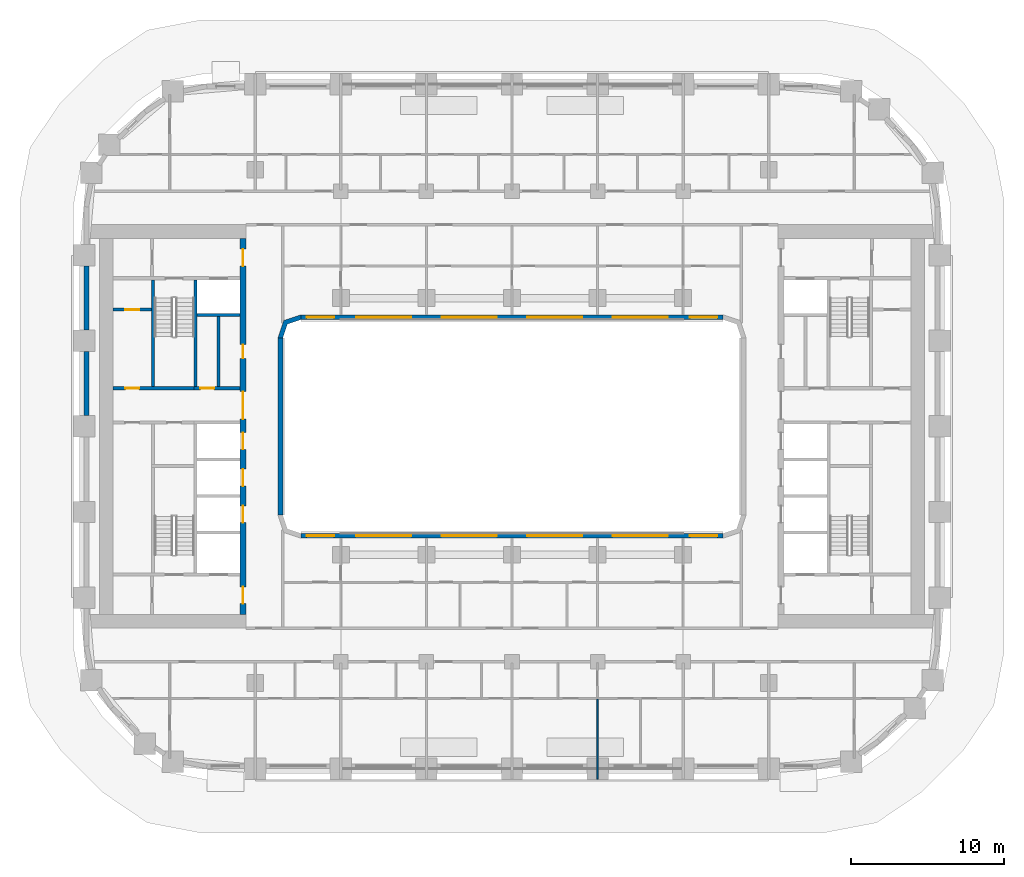
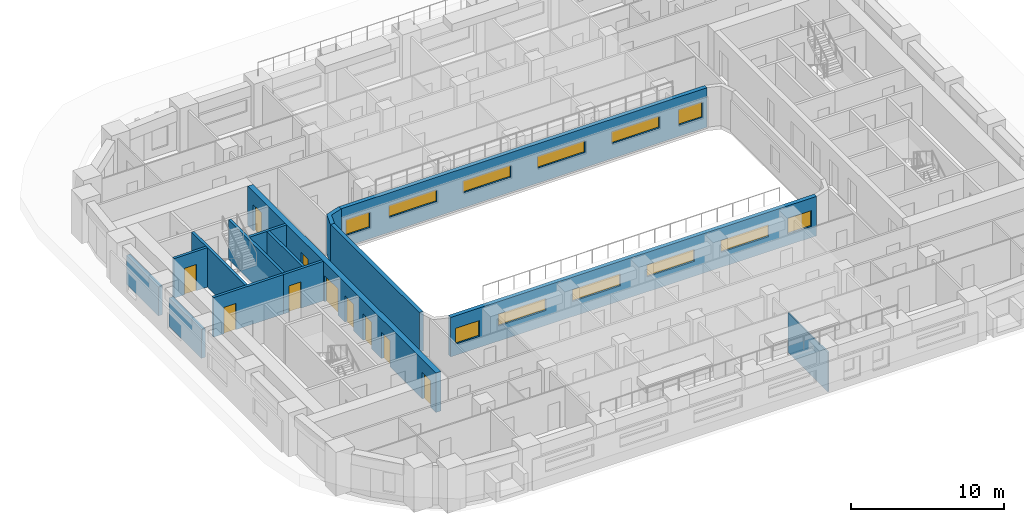
# One storey, part 5 of 18: 15 walls, 12 windows, 10 doors, 22 openings.
"""IFC4 building model written with IfcOpenShell, lengths in metres."""

from ifc_helpers import new_model, si_unit, direction, frame, frame_2d, origin, place, context, subcontext, project, spatial, polyline, rectangle, outline, extrude, material, layer, layer_set, type_object, element, fill, save


model = new_model("IFC4")

# Units and contexts
model_context = context("Model", 3, precision=1e-05, world=origin(), true_north=direction((0.0, 1.0)))
body_context = subcontext(model_context, "Body", "Model", "MODEL_VIEW")
ifc_project = project(units=[si_unit("LENGTHUNIT", "METRE"), si_unit("AREAUNIT", "SQUARE_METRE"), si_unit("VOLUMEUNIT", "CUBIC_METRE"), si_unit("PLANEANGLEUNIT", "RADIAN"), si_unit("MASSUNIT", "GRAM", prefix="KILO")], contexts=[model_context])

# Site, building, storey
site_placement = place(None, origin())
site = spatial("IfcSite", under=ifc_project, at=site_placement, CompositionType="ELEMENT")
building_placement = place(site_placement, origin())
building = spatial("IfcBuilding", under=site, at=building_placement, Name="Kiln Ring Residences", CompositionType="ELEMENT")
storey_placement = place(building_placement, frame((0.0, 0.0, 69.0)))
storey = spatial("IfcBuildingStorey", under=building, at=storey_placement, Name="L17", CompositionType="ELEMENT", Elevation=69.0)

# Wall
ifc_material_1 = material(Name="Gypsum board on steel studs", Category="steel")
ifc_layer_1 = layer(ifc_material_1, 0.199951171875)
ifc_layer_set_1 = layer_set([ifc_layer_1], Name="CORE-PARTITION-200")
wall_type_1 = type_object("IfcWallType", Name="CORE-PARTITION-200", PredefinedType="PARTITIONING", material=ifc_layer_set_1)
wall_1_placement = place(storey_placement, frame((-19.199951171875, 2.60009765625, 0.0), z_axis=(0.0, 0.0, 1.0), x_axis=(0.0, 1.0, 0.0)))
element("IfcWall", 1, at=wall_1_placement, inside=storey, type_object=wall_type_1, Name="Core partition west L17 3", PredefinedType="PARTITIONING", context=body_context, shape_type="SweptSolid", body=[
    extrude(rectangle(XDim=4.599853515625, YDim=0.199951171875, at=frame_2d((2.2998046875, 0.0))), origin(), (0.0, 0.0, 1.0), 3.14990234375),
])

# Wall, opening, door
wall_2_placement = place(storey_placement, frame((-23.60009765625, 7.639892578125, 0.0), z_axis=(0.0, 0.0, 1.0), x_axis=(-1.0, 0.0, 0.0)))
wall_2 = element("IfcWall", 2, at=wall_2_placement, inside=storey, type_object=wall_type_1, Name="Core partition west L17 6", PredefinedType="PARTITIONING", context=body_context, shape_type="SweptSolid", body=[
    extrude(rectangle(XDim=2.5, YDim=0.199951171875, at=frame_2d((1.25, 0.0))), origin(), (0.0, 0.0, 1.0), 3.14990234375),
])
opening_1_placement = place(wall_2_placement, frame((0.800048828125, 0.0, 0.0)))
opening_1 = element("IfcOpeningElement", 3, at=opening_1_placement, cuts=wall_2, Name="Opening L17-CW17", PredefinedType="OPENING", context=body_context, shape_type="SweptSolid", body=[
    extrude(rectangle(XDim=0.89990234375, YDim=2.10009765625, at=frame_2d((0.449951171875, 1.050048828125))), frame((0.0, 0.10986328125, 0.0), z_axis=(0.0, -1.0, 0.0), x_axis=(1.0, 0.0, 0.0)), (0.0, 0.0, 1.0), 0.219970703125),
])
ifc_material_2 = material(Name="Steel door leaf", Category="steel")
door_type_1 = type_object("IfcDoorType", Name="CORE-DOOR-ROOM", OperationType="SINGLE_SWING_LEFT", PredefinedType="DOOR", material=ifc_material_2)
door_1_placement = place(opening_1_placement, origin())
door_1 = element("IfcDoor", 4, at=door_1_placement, inside=storey, type_object=door_type_1, Name="UPS room L17-CW17", OperationType="SINGLE_SWING_RIGHT", OverallHeight=2.10009765625, OverallWidth=0.89990234375, PredefinedType="DOOR", context=body_context, shape_type="SweptSolid", body=[
    extrude(rectangle(XDim=0.89990234375, YDim=2.10009765625, at=frame_2d((0.449951171875, 1.050048828125))), frame((0.0, 0.02490234375, 0.0), z_axis=(0.0, -1.0, 0.0), x_axis=(1.0, 0.0, 0.0)), (0.0, 0.0, 1.0), 0.050048828125),
])
fill(opening_1, door_1)

ifc_material_3 = material(Name="Gypsum shaft wall system")
ifc_layer_2 = layer(ifc_material_3, 0.199951171875)
ifc_layer_set_2 = layer_set([ifc_layer_2], Name="CORE-SHAFT-WALL-200")
wall_type_2 = type_object("IfcWallType", Name="CORE-SHAFT-WALL-200", PredefinedType="PARTITIONING", material=ifc_layer_set_2)
wall_3_placement = place(storey_placement, frame((-17.800048828125, 2.5, 0.0), z_axis=(0.0, 0.0, 1.0), x_axis=(-1.0, 0.0, 0.0)))
wall_3 = element("IfcWall", 5, at=wall_3_placement, inside=storey, type_object=wall_type_2, Name="Core partition west L17 11", PredefinedType="PARTITIONING", context=body_context, shape_type="SweptSolid", body=[
    extrude(rectangle(XDim=3.0, YDim=0.199951171875, at=frame_2d((1.5, 0.0))), origin(), (0.0, 0.0, 1.0), 3.14990234375),
])
opening_2_placement = place(wall_3_placement, frame((1.699951171875, 0.0, 0.0)))
opening_2 = element("IfcOpeningElement", 6, at=opening_2_placement, cuts=wall_3, Name="Opening L17-CW06", PredefinedType="OPENING", context=body_context, shape_type="SweptSolid", body=[
    extrude(rectangle(XDim=0.89990234375, YDim=2.10009765625, at=frame_2d((0.449951171875, 1.050048828125))), frame((0.0, 0.10986328125, 0.0), z_axis=(0.0, -1.0, 0.0), x_axis=(1.0, 0.0, 0.0)), (0.0, 0.0, 1.0), 0.219970703125),
])
door_2_placement = place(opening_2_placement, origin())
door_2 = element("IfcDoor", 7, at=door_2_placement, inside=storey, type_object=door_type_1, Name="Service store L17-CW06", OperationType="SINGLE_SWING_LEFT", OverallHeight=2.10009765625, OverallWidth=0.89990234375, PredefinedType="DOOR", context=body_context, shape_type="SweptSolid", body=[
    extrude(rectangle(XDim=0.89990234375, YDim=2.10009765625, at=frame_2d((0.449951171875, 1.050048828125))), frame((0.0, 0.02490234375, 0.0), z_axis=(0.0, -1.0, 0.0), x_axis=(1.0, 0.0, 0.0)), (0.0, 0.0, 1.0), 0.050048828125),
])
fill(opening_2, door_2)

# Walls
wall_4_placement = place(storey_placement, frame((-17.800048828125, 7.300048828125, 0.0), z_axis=(0.0, 0.0, 1.0), x_axis=(-1.0, 0.0, 0.0)))
element("IfcWall", 8, at=wall_4_placement, inside=storey, type_object=wall_type_2, Name="Core partition west L17 12", PredefinedType="PARTITIONING", context=body_context, shape_type="SweptSolid", body=[
    extrude(rectangle(XDim=2.800048828125, YDim=0.199951171875, at=frame_2d((1.39990234375, 0.0))), origin(), (0.0, 0.0, 1.0), 3.14990234375),
])
ifc_material_4 = material(Name="Concrete C40/50", Category="concrete")
ifc_layer_3 = layer(ifc_material_4, 0.199951171875)
ifc_layer_set_3 = layer_set([ifc_layer_3], Name="CORE-WALL-RC200")
wall_type_3 = type_object("IfcWallType", Name="CORE-WALL-RC200", PredefinedType="SHEAR", material=ifc_layer_set_3)
wall_5_placement = place(storey_placement, frame((-20.699951171875, 2.60009765625, 0.0), z_axis=(0.0, 0.0, 1.0), x_axis=(0.0, 1.0, 0.0)))
element("IfcWall", 9, at=wall_5_placement, inside=storey, type_object=wall_type_3, Name="Core wall west L17 1", PredefinedType="SHEAR", context=body_context, shape_type="SweptSolid", body=[
    extrude(rectangle(XDim=7.0, YDim=0.199951171875, at=frame_2d((3.5, 0.0))), origin(), (0.0, 0.0, 1.0), 3.14990234375),
])

# Wall, opening, door
wall_6_placement = place(storey_placement, frame((-20.800048828125, 2.5, 0.0), z_axis=(0.0, 0.0, 1.0), x_axis=(-1.0, 0.0, 0.0)))
wall_6 = element("IfcWall", 10, at=wall_6_placement, inside=storey, type_object=wall_type_3, Name="Core wall west L17 3", PredefinedType="SHEAR", context=body_context, shape_type="SweptSolid", body=[
    extrude(rectangle(XDim=5.300048828125, YDim=0.199951171875, at=frame_2d((2.64990234375, 0.0))), origin(), (0.0, 0.0, 1.0), 3.14990234375),
])
opening_3_placement = place(wall_6_placement, frame((3.60009765625, 0.0, 0.0)))
opening_3 = element("IfcOpeningElement", 11, at=opening_3_placement, cuts=wall_6, Name="Opening L17-CW18", PredefinedType="OPENING", context=body_context, shape_type="SweptSolid", body=[
    extrude(rectangle(XDim=0.89990234375, YDim=2.10009765625, at=frame_2d((0.449951171875, 1.050048828125))), frame((0.0, 0.10986328125, 0.0), z_axis=(0.0, -1.0, 0.0), x_axis=(1.0, 0.0, 0.0)), (0.0, 0.0, 1.0), 0.219970703125),
])
door_3_placement = place(opening_3_placement, origin())
door_3 = element("IfcDoor", 12, at=door_3_placement, inside=storey, type_object=door_type_1, Name="Electrical plant room L17-CW18", OperationType="SINGLE_SWING_LEFT", OverallHeight=2.10009765625, OverallWidth=0.89990234375, PredefinedType="DOOR", context=body_context, shape_type="SweptSolid", body=[
    extrude(rectangle(XDim=0.89990234375, YDim=2.10009765625, at=frame_2d((0.449951171875, 1.050048828125))), frame((0.0, 0.02490234375, 0.0), z_axis=(0.0, -1.0, 0.0), x_axis=(1.0, 0.0, 0.0)), (0.0, 0.0, 1.0), 0.050048828125),
])
fill(opening_3, door_3)

# Wall
wall_7_placement = place(storey_placement, frame((-23.5, 2.60009765625, 0.0), z_axis=(0.0, 0.0, 1.0), x_axis=(0.0, 1.0, 0.0)))
element("IfcWall", 13, at=wall_7_placement, inside=storey, type_object=wall_type_3, Name="Core wall west L17 10", PredefinedType="SHEAR", context=body_context, shape_type="SweptSolid", body=[
    extrude(rectangle(XDim=7.0, YDim=0.199951171875, at=frame_2d((3.5, 0.0))), origin(), (0.0, 0.0, 1.0), 3.14990234375),
])

# Wall, openings, doors
ifc_material_5 = material(Name="Concrete C60/75", Category="concrete")
ifc_layer_4 = layer(ifc_material_5, 0.39990234375)
ifc_layer_set_4 = layer_set([ifc_layer_4], Name="CORE-WALL-RC400")
wall_type_4 = type_object("IfcWallType", Name="CORE-WALL-RC400", PredefinedType="SHEAR", material=ifc_layer_set_4)
wall_8_placement = place(storey_placement, frame((-17.60009765625, -12.300048828125, 0.0), z_axis=(0.0, 0.0, 1.0), x_axis=(0.0, 1.0, 0.0)))
wall_8 = element("IfcWall", 14, at=wall_8_placement, inside=storey, type_object=wall_type_4, Name="Core wall west L17 6", PredefinedType="SHEAR", context=body_context, shape_type="SweptSolid", body=[
    extrude(rectangle(XDim=24.60009765625, YDim=0.39990234375, at=frame_2d((12.300048828125, 0.0))), origin(), (0.0, 0.0, 1.0), 3.14990234375),
])
opening_4_placement = place(wall_8_placement, frame((6.0, 0.0, 0.0)))
opening_4 = element("IfcOpeningElement", 15, at=opening_4_placement, cuts=wall_8, Name="Opening L17-CW02", PredefinedType="OPENING", context=body_context, shape_type="SweptSolid", body=[
    extrude(rectangle(XDim=1.10009765625, YDim=2.10009765625, at=frame_2d((0.550048828125, 1.050048828125))), frame((0.0, 0.2099609375, 0.0), z_axis=(0.0, -1.0, 0.0), x_axis=(1.0, 0.0, 0.0)), (0.0, 0.0, 1.0), 0.419921875),
])
opening_5_placement = place(wall_8_placement, frame((8.39990234375, 0.0, 0.0)))
opening_5 = element("IfcOpeningElement", 16, at=opening_5_placement, cuts=wall_8, Name="Opening L17-CW03", PredefinedType="OPENING", context=body_context, shape_type="SweptSolid", body=[
    extrude(rectangle(XDim=1.10009765625, YDim=2.10009765625, at=frame_2d((0.550048828125, 1.050048828125))), frame((0.0, 0.2099609375, 0.0), z_axis=(0.0, -1.0, 0.0), x_axis=(1.0, 0.0, 0.0)), (0.0, 0.0, 1.0), 0.419921875),
])
opening_6_placement = place(wall_8_placement, frame((10.800048828125, 0.0, 0.0)))
opening_6 = element("IfcOpeningElement", 17, at=opening_6_placement, cuts=wall_8, Name="Opening L17-CW04", PredefinedType="OPENING", context=body_context, shape_type="SweptSolid", body=[
    extrude(rectangle(XDim=1.10009765625, YDim=2.10009765625, at=frame_2d((0.550048828125, 1.050048828125))), frame((0.0, 0.2099609375, 0.0), z_axis=(0.0, -1.0, 0.0), x_axis=(1.0, 0.0, 0.0)), (0.0, 0.0, 1.0), 0.419921875),
])
opening_7_placement = place(wall_8_placement, frame((16.75, 0.0, 0.0)))
opening_7 = element("IfcOpeningElement", 18, at=opening_7_placement, cuts=wall_8, Name="Opening L17-CW05", PredefinedType="OPENING", context=body_context, shape_type="SweptSolid", body=[
    extrude(rectangle(XDim=0.89990234375, YDim=2.10009765625, at=frame_2d((0.449951171875, 1.050048828125))), frame((0.0, 0.2099609375, 0.0), z_axis=(0.0, -1.0, 0.0), x_axis=(1.0, 0.0, 0.0)), (0.0, 0.0, 1.0), 0.419921875),
])
opening_8_placement = place(wall_8_placement, frame((22.800048828125, 0.0, 0.0)))
opening_8 = element("IfcOpeningElement", 19, at=opening_8_placement, cuts=wall_8, Name="Opening L17-CW08", PredefinedType="OPENING", context=body_context, shape_type="SweptSolid", body=[
    extrude(rectangle(XDim=1.10009765625, YDim=2.10009765625, at=frame_2d((0.550048828125, 1.050048828125))), frame((0.0, 0.2099609375, 0.0), z_axis=(0.0, -1.0, 0.0), x_axis=(1.0, 0.0, 0.0)), (0.0, 0.0, 1.0), 0.419921875),
])
opening_9_placement = place(wall_8_placement, frame((0.699951171875, 0.0, 0.0)))
opening_9 = element("IfcOpeningElement", 20, at=opening_9_placement, cuts=wall_8, Name="Opening L17-CW09", PredefinedType="OPENING", context=body_context, shape_type="SweptSolid", body=[
    extrude(rectangle(XDim=1.10009765625, YDim=2.10009765625, at=frame_2d((0.550048828125, 1.050048828125))), frame((0.0, 0.2099609375, 0.0), z_axis=(0.0, -1.0, 0.0), x_axis=(1.0, 0.0, 0.0)), (0.0, 0.0, 1.0), 0.419921875),
])
opening_10_placement = place(wall_8_placement, frame((12.77490234375, 0.0, 0.0)))
opening_10 = element("IfcOpeningElement", 21, at=opening_10_placement, cuts=wall_8, Name="Opening L17-CW14", PredefinedType="OPENING", context=body_context, shape_type="SweptSolid", body=[
    extrude(rectangle(XDim=1.800048828125, YDim=2.10009765625, at=frame_2d((0.89990234375, 1.050048828125))), frame((0.0, 0.2099609375, 0.0), z_axis=(0.0, -1.0, 0.0), x_axis=(1.0, 0.0, 0.0)), (0.0, 0.0, 1.0), 0.419921875),
])
ifc_material_6 = material(Name="Steel door leaf", Category="steel")
door_type_2 = type_object("IfcDoorType", Name="CORE-DOOR-LD", OperationType="DOUBLE_DOOR_SLIDING", PredefinedType="DOOR", material=ifc_material_6)
door_4_placement = place(opening_4_placement, origin())
door_4 = element("IfcDoor", 22, at=door_4_placement, inside=storey, type_object=door_type_2, Name="LD W-L1 L17-CW02", OperationType="DOUBLE_DOOR_SLIDING", OverallHeight=2.10009765625, OverallWidth=1.10009765625, PredefinedType="DOOR", context=body_context, shape_type="SweptSolid", body=[
    extrude(rectangle(XDim=1.10009765625, YDim=2.10009765625, at=frame_2d((0.550048828125, 1.050048828125))), frame((0.0, 0.02490234375, 0.0), z_axis=(0.0, -1.0, 0.0), x_axis=(1.0, 0.0, 0.0)), (0.0, 0.0, 1.0), 0.050048828125),
])
fill(opening_4, door_4)
door_5_placement = place(opening_5_placement, origin())
door_5 = element("IfcDoor", 23, at=door_5_placement, inside=storey, type_object=door_type_2, Name="LD W-L2 L17-CW03", OperationType="DOUBLE_DOOR_SLIDING", OverallHeight=2.10009765625, OverallWidth=1.10009765625, PredefinedType="DOOR", context=body_context, shape_type="SweptSolid", body=[
    extrude(rectangle(XDim=1.10009765625, YDim=2.10009765625, at=frame_2d((0.550048828125, 1.050048828125))), frame((0.0, 0.02490234375, 0.0), z_axis=(0.0, -1.0, 0.0), x_axis=(1.0, 0.0, 0.0)), (0.0, 0.0, 1.0), 0.050048828125),
])
fill(opening_5, door_5)
door_6_placement = place(opening_6_placement, origin())
door_6 = element("IfcDoor", 24, at=door_6_placement, inside=storey, type_object=door_type_2, Name="LD W-L3 L17-CW04", OperationType="DOUBLE_DOOR_SLIDING", OverallHeight=2.10009765625, OverallWidth=1.10009765625, PredefinedType="DOOR", context=body_context, shape_type="SweptSolid", body=[
    extrude(rectangle(XDim=1.10009765625, YDim=2.10009765625, at=frame_2d((0.550048828125, 1.050048828125))), frame((0.0, 0.02490234375, 0.0), z_axis=(0.0, -1.0, 0.0), x_axis=(1.0, 0.0, 0.0)), (0.0, 0.0, 1.0), 0.050048828125),
])
fill(opening_6, door_6)
ifc_material_7 = material(Name="Steel door leaf", Category="steel")
door_type_3 = type_object("IfcDoorType", Name="CORE-DOOR-LOBBY", OperationType="SINGLE_SWING_LEFT", PredefinedType="DOOR", material=ifc_material_7)
door_7_placement = place(opening_8_placement, origin())
door_7 = element("IfcDoor", 25, at=door_7_placement, inside=storey, type_object=door_type_3, Name="FFL L17-CW08", OperationType="SINGLE_SWING_LEFT", OverallHeight=2.10009765625, OverallWidth=1.10009765625, PredefinedType="DOOR", context=body_context, shape_type="SweptSolid", body=[
    extrude(rectangle(XDim=1.10009765625, YDim=2.10009765625, at=frame_2d((0.550048828125, 1.050048828125))), frame((0.0, 0.02490234375, 0.0), z_axis=(0.0, -1.0, 0.0), x_axis=(1.0, 0.0, 0.0)), (0.0, 0.0, 1.0), 0.050048828125),
])
fill(opening_8, door_7)
door_8_placement = place(opening_9_placement, origin())
door_8 = element("IfcDoor", 26, at=door_8_placement, inside=storey, type_object=door_type_3, Name="SVL L17-CW09", OperationType="SINGLE_SWING_RIGHT", OverallHeight=2.10009765625, OverallWidth=1.10009765625, PredefinedType="DOOR", context=body_context, shape_type="SweptSolid", body=[
    extrude(rectangle(XDim=1.10009765625, YDim=2.10009765625, at=frame_2d((0.550048828125, 1.050048828125))), frame((0.0, 0.02490234375, 0.0), z_axis=(0.0, -1.0, 0.0), x_axis=(1.0, 0.0, 0.0)), (0.0, 0.0, 1.0), 0.050048828125),
])
fill(opening_9, door_8)
ifc_material_8 = material(Name="Steel door leaf", Category="steel")
door_type_4 = type_object("IfcDoorType", Name="CORE-DOOR-PASS", OperationType="DOUBLE_DOOR_SINGLE_SWING", PredefinedType="DOOR", material=ifc_material_8)
door_9_placement = place(opening_10_placement, origin())
door_9 = element("IfcDoor", 27, at=door_9_placement, inside=storey, type_object=door_type_4, Name="Core passage L17-CW14", OperationType="DOUBLE_DOOR_SINGLE_SWING", OverallHeight=2.10009765625, OverallWidth=1.800048828125, PredefinedType="DOOR", context=body_context, shape_type="SweptSolid", body=[
    extrude(rectangle(XDim=1.800048828125, YDim=2.10009765625, at=frame_2d((0.89990234375, 1.050048828125))), frame((0.0, 0.02490234375, 0.0), z_axis=(0.0, -1.0, 0.0), x_axis=(1.0, 0.0, 0.0)), (0.0, 0.0, 1.0), 0.050048828125),
])
fill(opening_10, door_9)
door_10_placement = place(opening_7_placement, origin())
door_10 = element("IfcDoor", 28, at=door_10_placement, inside=storey, type_object=door_type_1, Name="Linen store L17-CW05", OperationType="SINGLE_SWING_LEFT", OverallHeight=2.10009765625, OverallWidth=0.89990234375, PredefinedType="DOOR", context=body_context, shape_type="SweptSolid", body=[
    extrude(rectangle(XDim=0.89990234375, YDim=2.10009765625, at=frame_2d((0.449951171875, 1.050048828125))), frame((0.0, 0.02490234375, 0.0), z_axis=(0.0, -1.0, 0.0), x_axis=(1.0, 0.0, 0.0)), (0.0, 0.0, 1.0), 0.050048828125),
])
fill(opening_7, door_10)

# Walls
ifc_material_9 = material(Name="Brick masonry, dark clay brick", Category="masonry")
ifc_layer_5 = layer(ifc_material_9, 0.300048828125)
ifc_layer_set_5 = layer_set([ifc_layer_5], Name="EW-300 BRICK WALL")
wall_type_5 = type_object("IfcWallType", Name="EW-300 BRICK WALL", PredefinedType="SOLIDWALL", material=ifc_layer_set_5)
for number, where, z_axis, x_axis, name in (
    (29, (-27.85009765625, 10.5, 0.0), (0.0, 0.0, 1.0), (0.0, -1.0, 0.0), "Facade wall L17 42"),
    (30, (-27.85009765625, 4.89990234375, 0.0), (0.0, 0.0, 1.0), (0.0, -1.0, 0.0), "Facade wall L17 43"),
):
    element("IfcWall", number, at=place(storey_placement, frame(where, z_axis=z_axis, x_axis=x_axis)), inside=storey, type_object=wall_type_5, Name=name, PredefinedType="SOLIDWALL", context=body_context, shape_type="SweptSolid", body=[
        extrude(rectangle(XDim=4.199951171875, YDim=0.300048828125, at=frame_2d((2.10009765625, 0.0))), origin(), (0.0, 0.0, 1.0), 2.300048828125),
    ])
wall_9_placement = place(storey_placement, frame((-15.14990234375, -5.800048828125, 0.0), z_axis=(0.0, 0.0, 1.0), x_axis=(0.0, 1.0, 0.0)))
element("IfcWall", 31, at=wall_9_placement, inside=storey, type_object=wall_type_5, Name="Facade wall L17 49", PredefinedType="SOLIDWALL", context=body_context, shape_type="SweptSolid", body=[
    extrude(rectangle(XDim=11.60009765625, YDim=0.300048828125, at=frame_2d((5.800048828125, 0.0))), origin(), (0.0, 0.0, 1.0), 3.14990234375),
])

# Wall, openings, windows
wall_10_placement = place(storey_placement, frame((-13.800048828125, 7.14990234375, 0.0), z_axis=(0.0, 0.0, 1.0), x_axis=(1.0, 0.0, 0.0)))
wall_10 = element("IfcWall", 32, at=wall_10_placement, inside=storey, type_object=wall_type_5, Name="Facade wall L17 50", PredefinedType="SOLIDWALL", context=body_context, shape_type="SweptSolid", body=[
    extrude(rectangle(XDim=27.60009765625, YDim=0.300048828125, at=frame_2d((13.800048828125, 0.0))), origin(), (0.0, 0.0, 1.0), 3.14990234375),
])
opening_11_placement = place(wall_10_placement, frame((0.362548828125, 0.0, 0.89990234375)))
opening_11 = element("IfcOpeningElement", 33, at=opening_11_placement, cuts=wall_10, Name="Opening W2", PredefinedType="OPENING", context=body_context, shape_type="SweptSolid", body=[
    extrude(rectangle(XDim=1.800048828125, YDim=1.25, at=frame_2d((0.89990234375, 0.625))), frame((0.0, 0.159912109375, 0.0), z_axis=(0.0, -1.0, 0.0), x_axis=(1.0, 0.0, 0.0)), (0.0, 0.0, 1.0), 0.320068359375),
])
opening_12_placement = place(wall_10_placement, frame((3.60009765625, 0.0, 1.199951171875)))
opening_12 = element("IfcOpeningElement", 34, at=opening_12_placement, cuts=wall_10, Name="Opening W4", PredefinedType="OPENING", context=body_context, shape_type="SweptSolid", body=[
    extrude(rectangle(XDim=3.60009765625, YDim=0.949951171875, at=frame_2d((1.800048828125, 0.47509765625))), frame((0.0, 0.159912109375, 0.0), z_axis=(0.0, -1.0, 0.0), x_axis=(1.0, 0.0, 0.0)), (0.0, 0.0, 1.0), 0.320068359375),
])
opening_13_placement = place(wall_10_placement, frame((9.199951171875, 0.0, 1.199951171875)))
opening_13 = element("IfcOpeningElement", 35, at=opening_13_placement, cuts=wall_10, Name="Opening W4", PredefinedType="OPENING", context=body_context, shape_type="SweptSolid", body=[
    extrude(rectangle(XDim=3.60009765625, YDim=0.949951171875, at=frame_2d((1.800048828125, 0.47509765625))), frame((0.0, 0.159912109375, 0.0), z_axis=(0.0, -1.0, 0.0), x_axis=(1.0, 0.0, 0.0)), (0.0, 0.0, 1.0), 0.320068359375),
])
opening_14_placement = place(wall_10_placement, frame((14.800048828125, 0.0, 1.199951171875)))
opening_14 = element("IfcOpeningElement", 36, at=opening_14_placement, cuts=wall_10, Name="Opening W4", PredefinedType="OPENING", context=body_context, shape_type="SweptSolid", body=[
    extrude(rectangle(XDim=3.60009765625, YDim=0.949951171875, at=frame_2d((1.800048828125, 0.47509765625))), frame((0.0, 0.159912109375, 0.0), z_axis=(0.0, -1.0, 0.0), x_axis=(1.0, 0.0, 0.0)), (0.0, 0.0, 1.0), 0.320068359375),
])
opening_15_placement = place(wall_10_placement, frame((20.39990234375, 0.0, 1.199951171875)))
opening_15 = element("IfcOpeningElement", 37, at=opening_15_placement, cuts=wall_10, Name="Opening W4", PredefinedType="OPENING", context=body_context, shape_type="SweptSolid", body=[
    extrude(rectangle(XDim=3.60009765625, YDim=0.949951171875, at=frame_2d((1.800048828125, 0.47509765625))), frame((0.0, 0.159912109375, 0.0), z_axis=(0.0, -1.0, 0.0), x_axis=(1.0, 0.0, 0.0)), (0.0, 0.0, 1.0), 0.320068359375),
])
opening_16_placement = place(wall_10_placement, frame((25.4375, 0.0, 0.89990234375)))
opening_16 = element("IfcOpeningElement", 38, at=opening_16_placement, cuts=wall_10, Name="Opening W2", PredefinedType="OPENING", context=body_context, shape_type="SweptSolid", body=[
    extrude(rectangle(XDim=1.800048828125, YDim=1.25, at=frame_2d((0.89990234375, 0.625))), frame((0.0, 0.159912109375, 0.0), z_axis=(0.0, -1.0, 0.0), x_axis=(1.0, 0.0, 0.0)), (0.0, 0.0, 1.0), 0.320068359375),
])
ifc_material_10 = material(Name="Aluminium frame with double glazing", Category="aluminium")
window_type_1 = type_object("IfcWindowType", Name="WINDOW 1800 x 1250", PartitioningType="SINGLE_PANEL", PredefinedType="WINDOW", material=ifc_material_10)
window_1_placement = place(opening_11_placement, origin())
window_1 = element("IfcWindow", 39, at=window_1_placement, inside=storey, type_object=window_type_1, Name="Window L17 22", OverallHeight=1.25, OverallWidth=1.800048828125, PartitioningType="SINGLE_PANEL", PredefinedType="WINDOW", context=body_context, shape_type="SweptSolid", body=[
    extrude(rectangle(XDim=1.800048828125, YDim=1.25, at=frame_2d((0.89990234375, 0.625))), frame((0.0, 0.030029296875, 0.0), z_axis=(0.0, -1.0, 0.0), x_axis=(1.0, 0.0, 0.0)), (0.0, 0.0, 1.0), 0.06005859375),
])
fill(opening_11, window_1)
window_2_placement = place(opening_16_placement, origin())
window_2 = element("IfcWindow", 40, at=window_2_placement, inside=storey, type_object=window_type_1, Name="Window L17 27", OverallHeight=1.25, OverallWidth=1.800048828125, PartitioningType="SINGLE_PANEL", PredefinedType="WINDOW", context=body_context, shape_type="SweptSolid", body=[
    extrude(rectangle(XDim=1.800048828125, YDim=1.25, at=frame_2d((0.89990234375, 0.625))), frame((0.0, 0.030029296875, 0.0), z_axis=(0.0, -1.0, 0.0), x_axis=(1.0, 0.0, 0.0)), (0.0, 0.0, 1.0), 0.06005859375),
])
fill(opening_16, window_2)
ifc_material_11 = material(Name="Aluminium frame with double glazing", Category="aluminium")
window_type_2 = type_object("IfcWindowType", Name="WINDOW 3600 x 950", PartitioningType="SINGLE_PANEL", PredefinedType="WINDOW", material=ifc_material_11)
window_3_placement = place(opening_12_placement, origin())
window_3 = element("IfcWindow", 41, at=window_3_placement, inside=storey, type_object=window_type_2, Name="Window L17 23", OverallHeight=0.949951171875, OverallWidth=3.60009765625, PartitioningType="SINGLE_PANEL", PredefinedType="WINDOW", context=body_context, shape_type="SweptSolid", body=[
    extrude(rectangle(XDim=3.60009765625, YDim=0.949951171875, at=frame_2d((1.800048828125, 0.47509765625))), frame((0.0, 0.030029296875, 0.0), z_axis=(0.0, -1.0, 0.0), x_axis=(1.0, 0.0, 0.0)), (0.0, 0.0, 1.0), 0.06005859375),
])
fill(opening_12, window_3)
window_4_placement = place(opening_13_placement, origin())
window_4 = element("IfcWindow", 42, at=window_4_placement, inside=storey, type_object=window_type_2, Name="Window L17 24", OverallHeight=0.949951171875, OverallWidth=3.60009765625, PartitioningType="SINGLE_PANEL", PredefinedType="WINDOW", context=body_context, shape_type="SweptSolid", body=[
    extrude(rectangle(XDim=3.60009765625, YDim=0.949951171875, at=frame_2d((1.800048828125, 0.47509765625))), frame((0.0, 0.030029296875, 0.0), z_axis=(0.0, -1.0, 0.0), x_axis=(1.0, 0.0, 0.0)), (0.0, 0.0, 1.0), 0.06005859375),
])
fill(opening_13, window_4)
window_5_placement = place(opening_14_placement, origin())
window_5 = element("IfcWindow", 43, at=window_5_placement, inside=storey, type_object=window_type_2, Name="Window L17 25", OverallHeight=0.949951171875, OverallWidth=3.60009765625, PartitioningType="SINGLE_PANEL", PredefinedType="WINDOW", context=body_context, shape_type="SweptSolid", body=[
    extrude(rectangle(XDim=3.60009765625, YDim=0.949951171875, at=frame_2d((1.800048828125, 0.47509765625))), frame((0.0, 0.030029296875, 0.0), z_axis=(0.0, -1.0, 0.0), x_axis=(1.0, 0.0, 0.0)), (0.0, 0.0, 1.0), 0.06005859375),
])
fill(opening_14, window_5)
window_6_placement = place(opening_15_placement, origin())
window_6 = element("IfcWindow", 44, at=window_6_placement, inside=storey, type_object=window_type_2, Name="Window L17 26", OverallHeight=0.949951171875, OverallWidth=3.60009765625, PartitioningType="SINGLE_PANEL", PredefinedType="WINDOW", context=body_context, shape_type="SweptSolid", body=[
    extrude(rectangle(XDim=3.60009765625, YDim=0.949951171875, at=frame_2d((1.800048828125, 0.47509765625))), frame((0.0, 0.030029296875, 0.0), z_axis=(0.0, -1.0, 0.0), x_axis=(1.0, 0.0, 0.0)), (0.0, 0.0, 1.0), 0.06005859375),
])
fill(opening_15, window_6)

wall_11_placement = place(storey_placement, frame((13.800048828125, -7.14990234375, 0.0), z_axis=(0.0, 0.0, 1.0), x_axis=(-1.0, 0.0, 0.0)))
wall_11 = element("IfcWall", 45, at=wall_11_placement, inside=storey, type_object=wall_type_5, Name="Facade wall L17 52", PredefinedType="SOLIDWALL", context=body_context, shape_type="SweptSolid", body=[
    extrude(rectangle(XDim=27.60009765625, YDim=0.300048828125, at=frame_2d((13.800048828125, 0.0))), origin(), (0.0, 0.0, 1.0), 3.14990234375),
])
opening_17_placement = place(wall_11_placement, frame((0.362548828125, 0.0, 0.89990234375)))
opening_17 = element("IfcOpeningElement", 46, at=opening_17_placement, cuts=wall_11, Name="Opening W2", PredefinedType="OPENING", context=body_context, shape_type="SweptSolid", body=[
    extrude(rectangle(XDim=1.800048828125, YDim=1.25, at=frame_2d((0.89990234375, 0.625))), frame((0.0, 0.159912109375, 0.0), z_axis=(0.0, -1.0, 0.0), x_axis=(1.0, 0.0, 0.0)), (0.0, 0.0, 1.0), 0.320068359375),
])
opening_18_placement = place(wall_11_placement, frame((3.60009765625, 0.0, 1.199951171875)))
opening_18 = element("IfcOpeningElement", 47, at=opening_18_placement, cuts=wall_11, Name="Opening W4", PredefinedType="OPENING", context=body_context, shape_type="SweptSolid", body=[
    extrude(rectangle(XDim=3.60009765625, YDim=0.949951171875, at=frame_2d((1.800048828125, 0.47509765625))), frame((0.0, 0.159912109375, 0.0), z_axis=(0.0, -1.0, 0.0), x_axis=(1.0, 0.0, 0.0)), (0.0, 0.0, 1.0), 0.320068359375),
])
opening_19_placement = place(wall_11_placement, frame((9.199951171875, 0.0, 1.199951171875)))
opening_19 = element("IfcOpeningElement", 48, at=opening_19_placement, cuts=wall_11, Name="Opening W4", PredefinedType="OPENING", context=body_context, shape_type="SweptSolid", body=[
    extrude(rectangle(XDim=3.60009765625, YDim=0.949951171875, at=frame_2d((1.800048828125, 0.47509765625))), frame((0.0, 0.159912109375, 0.0), z_axis=(0.0, -1.0, 0.0), x_axis=(1.0, 0.0, 0.0)), (0.0, 0.0, 1.0), 0.320068359375),
])
opening_20_placement = place(wall_11_placement, frame((14.800048828125, 0.0, 1.199951171875)))
opening_20 = element("IfcOpeningElement", 49, at=opening_20_placement, cuts=wall_11, Name="Opening W4", PredefinedType="OPENING", context=body_context, shape_type="SweptSolid", body=[
    extrude(rectangle(XDim=3.60009765625, YDim=0.949951171875, at=frame_2d((1.800048828125, 0.47509765625))), frame((0.0, 0.159912109375, 0.0), z_axis=(0.0, -1.0, 0.0), x_axis=(1.0, 0.0, 0.0)), (0.0, 0.0, 1.0), 0.320068359375),
])
opening_21_placement = place(wall_11_placement, frame((20.39990234375, 0.0, 1.199951171875)))
opening_21 = element("IfcOpeningElement", 50, at=opening_21_placement, cuts=wall_11, Name="Opening W4", PredefinedType="OPENING", context=body_context, shape_type="SweptSolid", body=[
    extrude(rectangle(XDim=3.60009765625, YDim=0.949951171875, at=frame_2d((1.800048828125, 0.47509765625))), frame((0.0, 0.159912109375, 0.0), z_axis=(0.0, -1.0, 0.0), x_axis=(1.0, 0.0, 0.0)), (0.0, 0.0, 1.0), 0.320068359375),
])
opening_22_placement = place(wall_11_placement, frame((25.4375, 0.0, 0.89990234375)))
opening_22 = element("IfcOpeningElement", 51, at=opening_22_placement, cuts=wall_11, Name="Opening W2", PredefinedType="OPENING", context=body_context, shape_type="SweptSolid", body=[
    extrude(rectangle(XDim=1.800048828125, YDim=1.25, at=frame_2d((0.89990234375, 0.625))), frame((0.0, 0.159912109375, 0.0), z_axis=(0.0, -1.0, 0.0), x_axis=(1.0, 0.0, 0.0)), (0.0, 0.0, 1.0), 0.320068359375),
])
window_7_placement = place(opening_17_placement, origin())
window_7 = element("IfcWindow", 52, at=window_7_placement, inside=storey, type_object=window_type_1, Name="Window L17 28", OverallHeight=1.25, OverallWidth=1.800048828125, PartitioningType="SINGLE_PANEL", PredefinedType="WINDOW", context=body_context, shape_type="SweptSolid", body=[
    extrude(rectangle(XDim=1.800048828125, YDim=1.25, at=frame_2d((0.89990234375, 0.625))), frame((0.0, 0.030029296875, 0.0), z_axis=(0.0, -1.0, 0.0), x_axis=(1.0, 0.0, 0.0)), (0.0, 0.0, 1.0), 0.06005859375),
])
fill(opening_17, window_7)
window_8_placement = place(opening_22_placement, origin())
window_8 = element("IfcWindow", 53, at=window_8_placement, inside=storey, type_object=window_type_1, Name="Window L17 33", OverallHeight=1.25, OverallWidth=1.800048828125, PartitioningType="SINGLE_PANEL", PredefinedType="WINDOW", context=body_context, shape_type="SweptSolid", body=[
    extrude(rectangle(XDim=1.800048828125, YDim=1.25, at=frame_2d((0.89990234375, 0.625))), frame((0.0, 0.030029296875, 0.0), z_axis=(0.0, -1.0, 0.0), x_axis=(1.0, 0.0, 0.0)), (0.0, 0.0, 1.0), 0.06005859375),
])
fill(opening_22, window_8)
window_9_placement = place(opening_18_placement, origin())
window_9 = element("IfcWindow", 54, at=window_9_placement, inside=storey, type_object=window_type_2, Name="Window L17 29", OverallHeight=0.949951171875, OverallWidth=3.60009765625, PartitioningType="SINGLE_PANEL", PredefinedType="WINDOW", context=body_context, shape_type="SweptSolid", body=[
    extrude(rectangle(XDim=3.60009765625, YDim=0.949951171875, at=frame_2d((1.800048828125, 0.47509765625))), frame((0.0, 0.030029296875, 0.0), z_axis=(0.0, -1.0, 0.0), x_axis=(1.0, 0.0, 0.0)), (0.0, 0.0, 1.0), 0.06005859375),
])
fill(opening_18, window_9)
window_10_placement = place(opening_19_placement, origin())
window_10 = element("IfcWindow", 55, at=window_10_placement, inside=storey, type_object=window_type_2, Name="Window L17 30", OverallHeight=0.949951171875, OverallWidth=3.60009765625, PartitioningType="SINGLE_PANEL", PredefinedType="WINDOW", context=body_context, shape_type="SweptSolid", body=[
    extrude(rectangle(XDim=3.60009765625, YDim=0.949951171875, at=frame_2d((1.800048828125, 0.47509765625))), frame((0.0, 0.030029296875, 0.0), z_axis=(0.0, -1.0, 0.0), x_axis=(1.0, 0.0, 0.0)), (0.0, 0.0, 1.0), 0.06005859375),
])
fill(opening_19, window_10)
window_11_placement = place(opening_20_placement, origin())
window_11 = element("IfcWindow", 56, at=window_11_placement, inside=storey, type_object=window_type_2, Name="Window L17 31", OverallHeight=0.949951171875, OverallWidth=3.60009765625, PartitioningType="SINGLE_PANEL", PredefinedType="WINDOW", context=body_context, shape_type="SweptSolid", body=[
    extrude(rectangle(XDim=3.60009765625, YDim=0.949951171875, at=frame_2d((1.800048828125, 0.47509765625))), frame((0.0, 0.030029296875, 0.0), z_axis=(0.0, -1.0, 0.0), x_axis=(1.0, 0.0, 0.0)), (0.0, 0.0, 1.0), 0.06005859375),
])
fill(opening_20, window_11)
window_12_placement = place(opening_21_placement, origin())
window_12 = element("IfcWindow", 57, at=window_12_placement, inside=storey, type_object=window_type_2, Name="Window L17 32", OverallHeight=0.949951171875, OverallWidth=3.60009765625, PartitioningType="SINGLE_PANEL", PredefinedType="WINDOW", context=body_context, shape_type="SweptSolid", body=[
    extrude(rectangle(XDim=3.60009765625, YDim=0.949951171875, at=frame_2d((1.800048828125, 0.47509765625))), frame((0.0, 0.030029296875, 0.0), z_axis=(0.0, -1.0, 0.0), x_axis=(1.0, 0.0, 0.0)), (0.0, 0.0, 1.0), 0.06005859375),
])
fill(opening_21, window_12)

# Walls
wall_12_placement = place(storey_placement, origin())
element("IfcWall", 58, at=wall_12_placement, inside=storey, type_object=wall_type_5, Name="Corner wall L17 1", PredefinedType="SOLIDWALL", context=body_context, shape_type="SweptSolid", body=[
    extrude(outline(polyline([(-13.8486328125, 7.300048828125), (-14.937255859375, 6.937255859375), (-15.300048828125, 5.8486328125), (-15.300048828125, 5.800048828125), (-15.0, 5.800048828125), (-14.699951171875, 6.699951171875), (-13.800048828125, 7.0), (-13.800048828125, 7.300048828125), (-13.8486328125, 7.300048828125)])), origin(), (0.0, 0.0, 1.0), 3.14990234375),
])
ifc_material_12 = material(Name="Gypsum board on steel studs", Category="steel")
ifc_layer_6 = layer(ifc_material_12, 0.10009765625)
ifc_layer_set_6 = layer_set([ifc_layer_6], Name="PARTITION-100")
wall_type_6 = type_object("IfcWallType", Name="PARTITION-100", PredefinedType="PARTITIONING", material=ifc_layer_set_6)
wall_13_placement = place(storey_placement, frame((5.60009765625, -23.080078125, 0.0), z_axis=(0.0, 0.0, 1.0), x_axis=(0.0, 1.0, 0.0)))
element("IfcWall", 59, at=wall_13_placement, inside=storey, type_object=wall_type_6, Name="Partition 052", PredefinedType="PARTITIONING", context=body_context, shape_type="SweptSolid", body=[
    extrude(rectangle(XDim=5.22998046875, YDim=0.10009765625, at=frame_2d((2.614990234375, 0.0))), origin(), (0.0, 0.0, 1.0), 3.14990234375),
])

save(model, "model.ifc")
